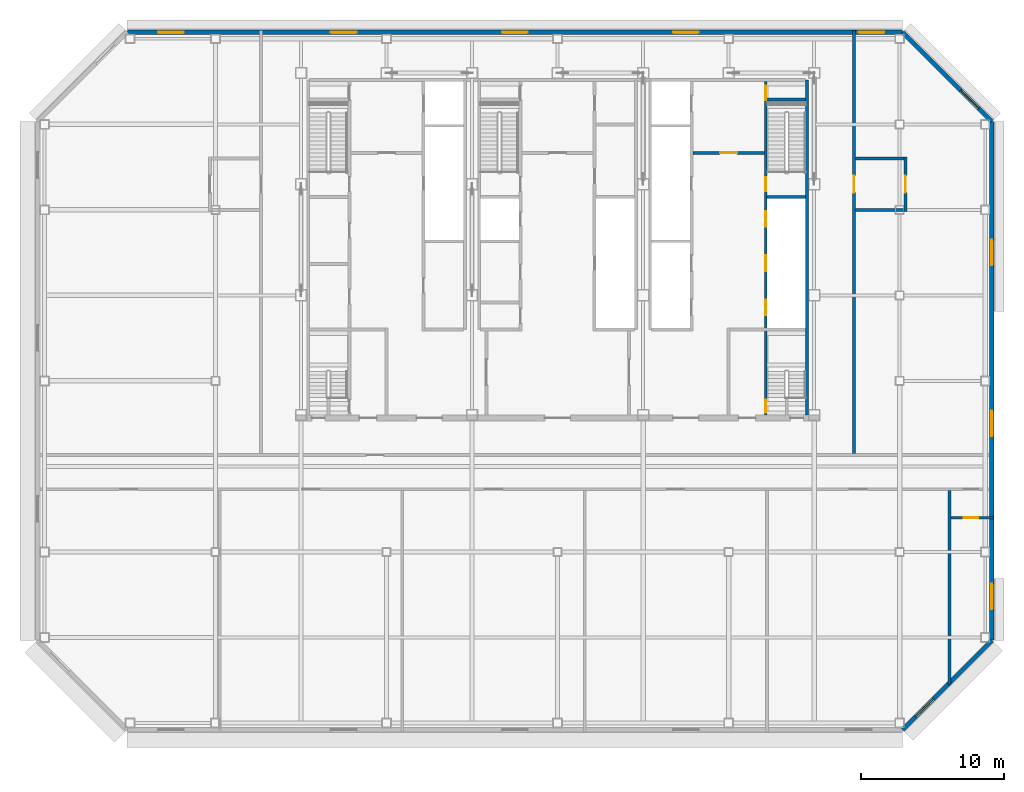
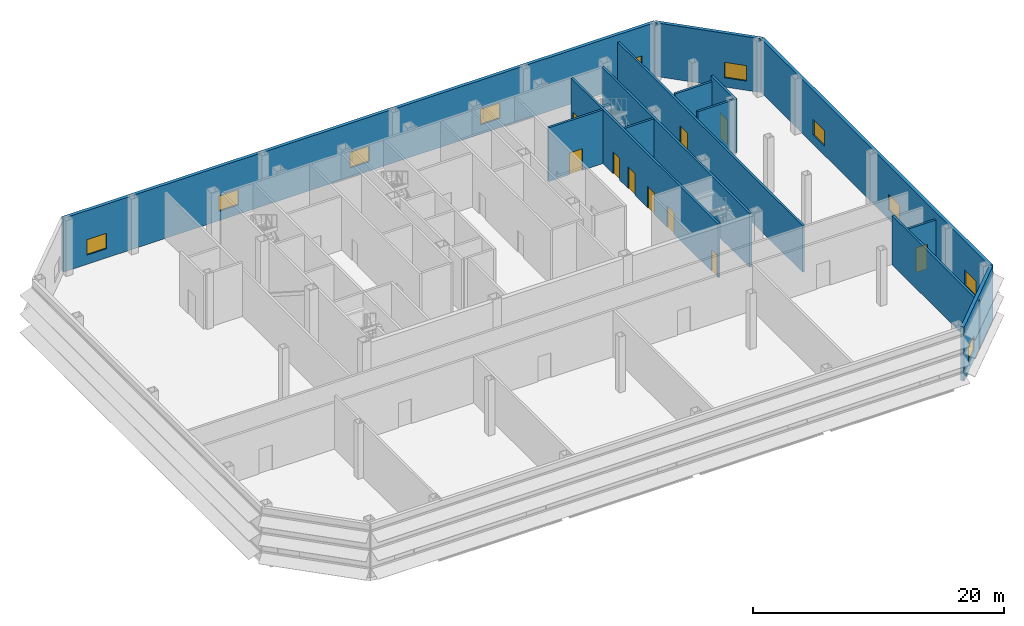
# One storey, part 6 of 11: 15 walls, 10 doors, 10 windows, 20 openings.
"""IFC4 building model written with IfcOpenShell, lengths in metres."""

from ifc_helpers import new_model, si_unit, direction, frame, frame_2d, origin, place, context, subcontext, project, spatial, rectangle, extrude, material, layer, layer_set, type_object, element, fill, save


model = new_model("IFC4")

# Units and contexts
model_context = context("Model", 3, precision=1e-05, world=origin(), true_north=direction((0.0, 1.0)))
body_context = subcontext(model_context, "Body", "Model", "MODEL_VIEW")
ifc_project = project(units=[si_unit("LENGTHUNIT", "METRE"), si_unit("AREAUNIT", "SQUARE_METRE"), si_unit("VOLUMEUNIT", "CUBIC_METRE"), si_unit("PLANEANGLEUNIT", "RADIAN"), si_unit("MASSUNIT", "GRAM", prefix="KILO")], contexts=[model_context])

# Site, building, storey
site_placement = place(None, origin())
site = spatial("IfcSite", under=ifc_project, at=site_placement, CompositionType="ELEMENT")
building_placement = place(site_placement, origin())
building = spatial("IfcBuilding", under=site, at=building_placement, Name="Sorahane Residences", CompositionType="ELEMENT")
storey_placement = place(building_placement, frame((0.0, 0.0, 234.199951171875)))
storey = spatial("IfcBuildingStorey", under=building, at=storey_placement, Name="L55", CompositionType="ELEMENT", Elevation=234.199951171875)

# Wall
ifc_material_1 = material(Name="Concrete C30", Category="concrete")
ifc_layer_1 = layer(ifc_material_1, 0.199951171875)
ifc_layer_set_1 = layer_set([ifc_layer_1], Name="Core face wall 200 EI 180")
wall_type_1 = type_object("IfcWallType", Name="Core face wall 200 EI 180", PredefinedType="SOLIDWALL", material=ifc_layer_set_1)
wall_1_placement = place(storey_placement, frame((41.5, 21.60009765625, 0.0), z_axis=(0.0, 0.0, 1.0), x_axis=(0.0, 1.0, 0.0)))
element("IfcWall", 1, at=wall_1_placement, inside=storey, type_object=wall_type_1, Name="L55 core face wall", PredefinedType="SOLIDWALL", context=body_context, shape_type="SweptSolid", body=[
    extrude(rectangle(XDim=23.5, YDim=0.199951171875, at=frame_2d((11.75, 0.0))), origin(), (0.0, 0.0, 1.0), 5.219970703125),
])

# Wall, opening, window
ifc_material_2 = material(Name="Graphite insulated metal-clad wall")
ifc_layer_2 = layer(ifc_material_2, 0.300048828125)
ifc_layer_set_2 = layer_set([ifc_layer_2], Name="External wall insulated metal-clad 300")
wall_type_2 = type_object("IfcWallType", Name="External wall insulated metal-clad 300", PredefinedType="SOLIDWALL", material=ifc_layer_set_2)
wall_2_placement = place(storey_placement, frame((48.194580078125, -0.469970703125, 0.0), z_axis=(0.0, 0.0, 1.0), x_axis=(0.707106781187, 0.707106781187, 0.0)))
wall_2 = element("IfcWall", 2, at=wall_2_placement, inside=storey, type_object=wall_type_2, Name="External plant wall L55 SE1", PredefinedType="SOLIDWALL", context=body_context, shape_type="SweptSolid", body=[
    extrude(rectangle(XDim=8.874755859375, YDim=0.300048828125, at=frame_2d((4.4375, 0.0))), origin(), (0.0, 0.0, 1.0), 5.219970703125),
])
opening_1_placement = place(wall_2_placement, frame((1.291748046875, 0.0, 0.89990234375)))
opening_1 = element("IfcOpeningElement", 3, at=opening_1_placement, cuts=wall_2, Name="Opening W-R1", PredefinedType="OPENING", context=body_context, shape_type="SweptSolid", body=[
    extrude(rectangle(XDim=1.800048828125, YDim=1.5, at=frame_2d((0.89990234375, 0.75))), frame((0.0, 0.159912109375, 0.0), z_axis=(0.0, -1.0, 0.0), x_axis=(1.0, 0.0, 0.0)), (0.0, 0.0, 1.0), 0.320068359375),
])
ifc_material_3 = material(Name="Dark aluminium and glass", Category="aluminium")
window_type = type_object("IfcWindowType", Name="Openable Class B fire window dark aluminium 1800x1500", PartitioningType="SINGLE_PANEL", PredefinedType="WINDOW", material=ifc_material_3)
window_1_placement = place(opening_1_placement, origin())
window_1 = element("IfcWindow", 4, at=window_1_placement, inside=storey, type_object=window_type, Name="Openable fire window L55 SE1.1", OverallHeight=1.5, OverallWidth=1.800048828125, PartitioningType="SINGLE_PANEL", PredefinedType="WINDOW", context=body_context, shape_type="SweptSolid", body=[
    extrude(rectangle(XDim=1.800048828125, YDim=1.5, at=frame_2d((0.89990234375, 0.75))), frame((0.0, 0.030029296875, 0.0), z_axis=(0.0, -1.0, 0.0), x_axis=(1.0, 0.0, 0.0)), (0.0, 0.0, 1.0), 0.06005859375),
])
fill(opening_1, window_1)

# Wall, openings, windows
wall_3_placement = place(storey_placement, frame((54.469970703125, 5.805419921875, 0.0), z_axis=(0.0, 0.0, 1.0), x_axis=(0.0, 1.0, 0.0)))
wall_3 = element("IfcWall", 5, at=wall_3_placement, inside=storey, type_object=wall_type_2, Name="External plant wall L55 E1", PredefinedType="SOLIDWALL", context=body_context, shape_type="SweptSolid", body=[
    extrude(rectangle(XDim=36.38916015625, YDim=0.300048828125, at=frame_2d((18.194580078125, 0.0))), origin(), (0.0, 0.0, 1.0), 5.219970703125),
])
opening_2_placement = place(wall_3_placement, frame((2.17041015625, 0.0, 0.89990234375)))
opening_2 = element("IfcOpeningElement", 6, at=opening_2_placement, cuts=wall_3, Name="Opening W-R1", PredefinedType="OPENING", context=body_context, shape_type="SweptSolid", body=[
    extrude(rectangle(XDim=1.800048828125, YDim=1.5, at=frame_2d((0.89990234375, 0.75))), frame((0.0, 0.159912109375, 0.0), z_axis=(0.0, -1.0, 0.0), x_axis=(1.0, 0.0, 0.0)), (0.0, 0.0, 1.0), 0.320068359375),
])
opening_3_placement = place(wall_3_placement, frame((14.294677734375, 0.0, 0.89990234375)))
opening_3 = element("IfcOpeningElement", 7, at=opening_3_placement, cuts=wall_3, Name="Opening W-R1", PredefinedType="OPENING", context=body_context, shape_type="SweptSolid", body=[
    extrude(rectangle(XDim=1.800048828125, YDim=1.5, at=frame_2d((0.89990234375, 0.75))), frame((0.0, 0.159912109375, 0.0), z_axis=(0.0, -1.0, 0.0), x_axis=(1.0, 0.0, 0.0)), (0.0, 0.0, 1.0), 0.320068359375),
])
opening_4_placement = place(wall_3_placement, frame((26.294677734375, 0.0, 0.89990234375)))
opening_4 = element("IfcOpeningElement", 8, at=opening_4_placement, cuts=wall_3, Name="Opening W-R1", PredefinedType="OPENING", context=body_context, shape_type="SweptSolid", body=[
    extrude(rectangle(XDim=1.800048828125, YDim=1.5, at=frame_2d((0.89990234375, 0.75))), frame((0.0, 0.159912109375, 0.0), z_axis=(0.0, -1.0, 0.0), x_axis=(1.0, 0.0, 0.0)), (0.0, 0.0, 1.0), 0.320068359375),
])
window_2_placement = place(opening_2_placement, origin())
window_2 = element("IfcWindow", 9, at=window_2_placement, inside=storey, type_object=window_type, Name="Openable fire window L55 E1.1", OverallHeight=1.5, OverallWidth=1.800048828125, PartitioningType="SINGLE_PANEL", PredefinedType="WINDOW", context=body_context, shape_type="SweptSolid", body=[
    extrude(rectangle(XDim=1.800048828125, YDim=1.5, at=frame_2d((0.89990234375, 0.75))), frame((0.0, 0.030029296875, 0.0), z_axis=(0.0, -1.0, 0.0), x_axis=(1.0, 0.0, 0.0)), (0.0, 0.0, 1.0), 0.06005859375),
])
fill(opening_2, window_2)
window_3_placement = place(opening_3_placement, origin())
window_3 = element("IfcWindow", 10, at=window_3_placement, inside=storey, type_object=window_type, Name="Openable fire window L55 E1.3", OverallHeight=1.5, OverallWidth=1.800048828125, PartitioningType="SINGLE_PANEL", PredefinedType="WINDOW", context=body_context, shape_type="SweptSolid", body=[
    extrude(rectangle(XDim=1.800048828125, YDim=1.5, at=frame_2d((0.89990234375, 0.75))), frame((0.0, 0.030029296875, 0.0), z_axis=(0.0, -1.0, 0.0), x_axis=(1.0, 0.0, 0.0)), (0.0, 0.0, 1.0), 0.06005859375),
])
fill(opening_3, window_3)
window_4_placement = place(opening_4_placement, origin())
window_4 = element("IfcWindow", 11, at=window_4_placement, inside=storey, type_object=window_type, Name="Openable fire window L55 E1.5", OverallHeight=1.5, OverallWidth=1.800048828125, PartitioningType="SINGLE_PANEL", PredefinedType="WINDOW", context=body_context, shape_type="SweptSolid", body=[
    extrude(rectangle(XDim=1.800048828125, YDim=1.5, at=frame_2d((0.89990234375, 0.75))), frame((0.0, 0.030029296875, 0.0), z_axis=(0.0, -1.0, 0.0), x_axis=(1.0, 0.0, 0.0)), (0.0, 0.0, 1.0), 0.06005859375),
])
fill(opening_4, window_4)

# Wall, opening, window
wall_4_placement = place(storey_placement, frame((54.469970703125, 42.194580078125, 0.0), z_axis=(0.0, 0.0, 1.0), x_axis=(-0.707106781187, 0.707106781187, 0.0)))
wall_4 = element("IfcWall", 12, at=wall_4_placement, inside=storey, type_object=wall_type_2, Name="External plant wall L55 NE1", PredefinedType="SOLIDWALL", context=body_context, shape_type="SweptSolid", body=[
    extrude(rectangle(XDim=8.874755859375, YDim=0.300048828125, at=frame_2d((4.4375, 0.0))), origin(), (0.0, 0.0, 1.0), 5.219970703125),
])
opening_5_placement = place(wall_4_placement, frame((1.291748046875, 0.0, 0.89990234375)))
opening_5 = element("IfcOpeningElement", 13, at=opening_5_placement, cuts=wall_4, Name="Opening W-R1", PredefinedType="OPENING", context=body_context, shape_type="SweptSolid", body=[
    extrude(rectangle(XDim=1.800048828125, YDim=1.5, at=frame_2d((0.89990234375, 0.75))), frame((0.0, 0.159912109375, 0.0), z_axis=(0.0, -1.0, 0.0), x_axis=(1.0, 0.0, 0.0)), (0.0, 0.0, 1.0), 0.320068359375),
])
window_5_placement = place(opening_5_placement, origin())
window_5 = element("IfcWindow", 14, at=window_5_placement, inside=storey, type_object=window_type, Name="Openable fire window L55 NE1.1", OverallHeight=1.5, OverallWidth=1.800048828125, PartitioningType="SINGLE_PANEL", PredefinedType="WINDOW", context=body_context, shape_type="SweptSolid", body=[
    extrude(rectangle(XDim=1.800048828125, YDim=1.5, at=frame_2d((0.89990234375, 0.75))), frame((0.0, 0.030029296875, 0.0), z_axis=(0.0, -1.0, 0.0), x_axis=(1.0, 0.0, 0.0)), (0.0, 0.0, 1.0), 0.06005859375),
])
fill(opening_5, window_5)

# Wall, openings, windows
wall_5_placement = place(storey_placement, frame((48.194580078125, 48.469970703125, 0.0), z_axis=(0.0, 0.0, 1.0), x_axis=(-1.0, 0.0, 0.0)))
wall_5 = element("IfcWall", 15, at=wall_5_placement, inside=storey, type_object=wall_type_2, Name="External plant wall L55 N1", PredefinedType="SOLIDWALL", context=body_context, shape_type="SweptSolid", body=[
    extrude(rectangle(XDim=54.38916015625, YDim=0.300048828125, at=frame_2d((27.194580078125, 0.0))), origin(), (0.0, 0.0, 1.0), 5.219970703125),
])
opening_6_placement = place(wall_5_placement, frame((1.2705078125, 0.0, 0.89990234375)))
opening_6 = element("IfcOpeningElement", 16, at=opening_6_placement, cuts=wall_5, Name="Opening W-R1", PredefinedType="OPENING", context=body_context, shape_type="SweptSolid", body=[
    extrude(rectangle(XDim=1.800048828125, YDim=1.5, at=frame_2d((0.89990234375, 0.75))), frame((0.0, 0.159912109375, 0.0), z_axis=(0.0, -1.0, 0.0), x_axis=(1.0, 0.0, 0.0)), (0.0, 0.0, 1.0), 0.320068359375),
])
opening_7_placement = place(wall_5_placement, frame((14.294677734375, 0.0, 0.89990234375)))
opening_7 = element("IfcOpeningElement", 17, at=opening_7_placement, cuts=wall_5, Name="Opening W-R1", PredefinedType="OPENING", context=body_context, shape_type="SweptSolid", body=[
    extrude(rectangle(XDim=1.800048828125, YDim=1.5, at=frame_2d((0.89990234375, 0.75))), frame((0.0, 0.159912109375, 0.0), z_axis=(0.0, -1.0, 0.0), x_axis=(1.0, 0.0, 0.0)), (0.0, 0.0, 1.0), 0.320068359375),
])
opening_8_placement = place(wall_5_placement, frame((26.294677734375, 0.0, 0.89990234375)))
opening_8 = element("IfcOpeningElement", 18, at=opening_8_placement, cuts=wall_5, Name="Opening W-R1", PredefinedType="OPENING", context=body_context, shape_type="SweptSolid", body=[
    extrude(rectangle(XDim=1.800048828125, YDim=1.5, at=frame_2d((0.89990234375, 0.75))), frame((0.0, 0.159912109375, 0.0), z_axis=(0.0, -1.0, 0.0), x_axis=(1.0, 0.0, 0.0)), (0.0, 0.0, 1.0), 0.320068359375),
])
opening_9_placement = place(wall_5_placement, frame((38.294677734375, 0.0, 0.89990234375)))
opening_9 = element("IfcOpeningElement", 19, at=opening_9_placement, cuts=wall_5, Name="Opening W-R1", PredefinedType="OPENING", context=body_context, shape_type="SweptSolid", body=[
    extrude(rectangle(XDim=1.800048828125, YDim=1.5, at=frame_2d((0.89990234375, 0.75))), frame((0.0, 0.159912109375, 0.0), z_axis=(0.0, -1.0, 0.0), x_axis=(1.0, 0.0, 0.0)), (0.0, 0.0, 1.0), 0.320068359375),
])
opening_10_placement = place(wall_5_placement, frame((50.4189453125, 0.0, 0.89990234375)))
opening_10 = element("IfcOpeningElement", 20, at=opening_10_placement, cuts=wall_5, Name="Opening W-R1", PredefinedType="OPENING", context=body_context, shape_type="SweptSolid", body=[
    extrude(rectangle(XDim=1.800048828125, YDim=1.5, at=frame_2d((0.89990234375, 0.75))), frame((0.0, 0.159912109375, 0.0), z_axis=(0.0, -1.0, 0.0), x_axis=(1.0, 0.0, 0.0)), (0.0, 0.0, 1.0), 0.320068359375),
])
window_6_placement = place(opening_6_placement, origin())
window_6 = element("IfcWindow", 21, at=window_6_placement, inside=storey, type_object=window_type, Name="Openable fire window L55 N1.1", OverallHeight=1.5, OverallWidth=1.800048828125, PartitioningType="SINGLE_PANEL", PredefinedType="WINDOW", context=body_context, shape_type="SweptSolid", body=[
    extrude(rectangle(XDim=1.800048828125, YDim=1.5, at=frame_2d((0.89990234375, 0.75))), frame((0.0, 0.030029296875, 0.0), z_axis=(0.0, -1.0, 0.0), x_axis=(1.0, 0.0, 0.0)), (0.0, 0.0, 1.0), 0.06005859375),
])
fill(opening_6, window_6)
window_7_placement = place(opening_7_placement, origin())
window_7 = element("IfcWindow", 22, at=window_7_placement, inside=storey, type_object=window_type, Name="Openable fire window L55 N1.3", OverallHeight=1.5, OverallWidth=1.800048828125, PartitioningType="SINGLE_PANEL", PredefinedType="WINDOW", context=body_context, shape_type="SweptSolid", body=[
    extrude(rectangle(XDim=1.800048828125, YDim=1.5, at=frame_2d((0.89990234375, 0.75))), frame((0.0, 0.030029296875, 0.0), z_axis=(0.0, -1.0, 0.0), x_axis=(1.0, 0.0, 0.0)), (0.0, 0.0, 1.0), 0.06005859375),
])
fill(opening_7, window_7)
window_8_placement = place(opening_8_placement, origin())
window_8 = element("IfcWindow", 23, at=window_8_placement, inside=storey, type_object=window_type, Name="Openable fire window L55 N1.5", OverallHeight=1.5, OverallWidth=1.800048828125, PartitioningType="SINGLE_PANEL", PredefinedType="WINDOW", context=body_context, shape_type="SweptSolid", body=[
    extrude(rectangle(XDim=1.800048828125, YDim=1.5, at=frame_2d((0.89990234375, 0.75))), frame((0.0, 0.030029296875, 0.0), z_axis=(0.0, -1.0, 0.0), x_axis=(1.0, 0.0, 0.0)), (0.0, 0.0, 1.0), 0.06005859375),
])
fill(opening_8, window_8)
window_9_placement = place(opening_9_placement, origin())
window_9 = element("IfcWindow", 24, at=window_9_placement, inside=storey, type_object=window_type, Name="Openable fire window L55 N1.7", OverallHeight=1.5, OverallWidth=1.800048828125, PartitioningType="SINGLE_PANEL", PredefinedType="WINDOW", context=body_context, shape_type="SweptSolid", body=[
    extrude(rectangle(XDim=1.800048828125, YDim=1.5, at=frame_2d((0.89990234375, 0.75))), frame((0.0, 0.030029296875, 0.0), z_axis=(0.0, -1.0, 0.0), x_axis=(1.0, 0.0, 0.0)), (0.0, 0.0, 1.0), 0.06005859375),
])
fill(opening_9, window_9)
window_10_placement = place(opening_10_placement, origin())
window_10 = element("IfcWindow", 25, at=window_10_placement, inside=storey, type_object=window_type, Name="Openable fire window L55 N1.9", OverallHeight=1.5, OverallWidth=1.800048828125, PartitioningType="SINGLE_PANEL", PredefinedType="WINDOW", context=body_context, shape_type="SweptSolid", body=[
    extrude(rectangle(XDim=1.800048828125, YDim=1.5, at=frame_2d((0.89990234375, 0.75))), frame((0.0, 0.030029296875, 0.0), z_axis=(0.0, -1.0, 0.0), x_axis=(1.0, 0.0, 0.0)), (0.0, 0.0, 1.0), 0.06005859375),
])
fill(opening_10, window_10)

# Wall, opening, door
ifc_material_4 = material(Name="Concrete blockwork C20 wall", Category="masonry")
ifc_layer_3 = layer(ifc_material_4, 0.199951171875)
ifc_layer_set_3 = layer_set([ifc_layer_3], Name="Fire wall 200 EI 120")
wall_type_3 = type_object("IfcWallType", Name="Fire wall 200 EI 120", PredefinedType="SOLIDWALL", material=ifc_layer_set_3)
wall_6_placement = place(storey_placement, frame((44.800048828125, 18.89990234375, 0.0), z_axis=(0.0, 0.0, 1.0), x_axis=(0.0, 1.0, 0.0)))
wall_6 = element("IfcWall", 26, at=wall_6_placement, inside=storey, type_object=wall_type_3, Name="L55 fire wall", PredefinedType="SOLIDWALL", context=body_context, shape_type="SweptSolid", body=[
    extrude(rectangle(XDim=29.7001953125, YDim=0.199951171875, at=frame_2d((14.85009765625, 0.0))), origin(), (0.0, 0.0, 1.0), 4.52001953125),
])
opening_11_placement = place(wall_6_placement, frame((18.300048828125, 0.0, 0.0)))
opening_11 = element("IfcOpeningElement", 27, at=opening_11_placement, cuts=wall_6, Name="Opening L55-10", PredefinedType="OPENING", context=body_context, shape_type="SweptSolid", body=[
    extrude(rectangle(XDim=1.199951171875, YDim=2.39990234375, at=frame_2d((0.60009765625, 1.199951171875))), frame((0.0, 0.10986328125, 0.0), z_axis=(0.0, -1.0, 0.0), x_axis=(1.0, 0.0, 0.0)), (0.0, 0.0, 1.0), 0.219970703125),
])
ifc_material_5 = material(Name="Steel", Category="steel")
door_type_1 = type_object("IfcDoorType", Name="Lobby door 1200x2400 FD60", OperationType="NOTDEFINED", PredefinedType="DOOR", material=ifc_material_5)
door_1_placement = place(opening_11_placement, origin())
door_1 = element("IfcDoor", 28, at=door_1_placement, inside=storey, type_object=door_type_1, Name="Lobby door L55-10", OperationType="SINGLE_SWING_RIGHT", OverallHeight=2.39990234375, OverallWidth=1.199951171875, PredefinedType="DOOR", context=body_context, shape_type="SweptSolid", body=[
    extrude(rectangle(XDim=1.199951171875, YDim=2.39990234375, at=frame_2d((0.60009765625, 1.199951171875))), frame((0.0, 0.02490234375, 0.0), z_axis=(0.0, -1.0, 0.0), x_axis=(1.0, 0.0, 0.0)), (0.0, 0.0, 1.0), 0.050048828125),
])
fill(opening_11, door_1)

wall_7_placement = place(storey_placement, frame((48.39990234375, 35.89990234375, 0.0), z_axis=(0.0, 0.0, 1.0), x_axis=(0.0, 1.0, 0.0)))
wall_7 = element("IfcWall", 29, at=wall_7_placement, inside=storey, type_object=wall_type_3, Name="L55 fire wall", PredefinedType="SOLIDWALL", context=body_context, shape_type="SweptSolid", body=[
    extrude(rectangle(XDim=3.800048828125, YDim=0.199951171875, at=frame_2d((1.89990234375, 0.0))), origin(), (0.0, 0.0, 1.0), 5.219970703125),
])
opening_12_placement = place(wall_7_placement, frame((1.300048828125, 0.0, 0.0)))
opening_12 = element("IfcOpeningElement", 30, at=opening_12_placement, cuts=wall_7, Name="Opening L55-09", PredefinedType="OPENING", context=body_context, shape_type="SweptSolid", body=[
    extrude(rectangle(XDim=1.199951171875, YDim=2.39990234375, at=frame_2d((0.60009765625, 1.199951171875))), frame((0.0, 0.10986328125, 0.0), z_axis=(0.0, -1.0, 0.0), x_axis=(1.0, 0.0, 0.0)), (0.0, 0.0, 1.0), 0.219970703125),
])
door_2_placement = place(opening_12_placement, origin())
door_2 = element("IfcDoor", 31, at=door_2_placement, inside=storey, type_object=door_type_1, Name="Lobby door L55-09", OperationType="SINGLE_SWING_LEFT", OverallHeight=2.39990234375, OverallWidth=1.199951171875, PredefinedType="DOOR", context=body_context, shape_type="SweptSolid", body=[
    extrude(rectangle(XDim=1.199951171875, YDim=2.39990234375, at=frame_2d((0.60009765625, 1.199951171875))), frame((0.0, 0.02490234375, 0.0), z_axis=(0.0, -1.0, 0.0), x_axis=(1.0, 0.0, 0.0)), (0.0, 0.0, 1.0), 0.050048828125),
])
fill(opening_12, door_2)

# Wall
wall_8_placement = place(storey_placement, frame((51.5, 2.65087890625, 0.0), z_axis=(0.0, 0.0, 1.0), x_axis=(0.0, 1.0, 0.0)))
element("IfcWall", 32, at=wall_8_placement, inside=storey, type_object=wall_type_3, Name="L55 fire wall", PredefinedType="SOLIDWALL", context=body_context, shape_type="SweptSolid", body=[
    extrude(rectangle(XDim=13.649169921875, YDim=0.199951171875, at=frame_2d((6.82470703125, 0.0))), origin(), (0.0, 0.0, 1.0), 4.77001953125),
])

# Wall, opening, door
wall_9_placement = place(storey_placement, frame((51.60009765625, 14.39990234375, 0.0), z_axis=(0.0, 0.0, 1.0), x_axis=(1.0, 0.0, 0.0)))
wall_9 = element("IfcWall", 33, at=wall_9_placement, inside=storey, type_object=wall_type_3, Name="L55 fire wall", PredefinedType="SOLIDWALL", context=body_context, shape_type="SweptSolid", body=[
    extrude(rectangle(XDim=3.0, YDim=0.199951171875, at=frame_2d((1.5, 0.0))), origin(), (0.0, 0.0, 1.0), 4.52001953125),
])
opening_13_placement = place(wall_9_placement, frame((0.89990234375, 0.0, 0.0)))
opening_13 = element("IfcOpeningElement", 34, at=opening_13_placement, cuts=wall_9, Name="Opening L55-07", PredefinedType="OPENING", context=body_context, shape_type="SweptSolid", body=[
    extrude(rectangle(XDim=1.0, YDim=2.39990234375, at=frame_2d((0.5, 1.199951171875))), frame((0.0, 0.10986328125, 0.0), z_axis=(0.0, -1.0, 0.0), x_axis=(1.0, 0.0, 0.0)), (0.0, 0.0, 1.0), 0.219970703125),
])
ifc_material_6 = material(Name="Steel", Category="steel")
door_type_2 = type_object("IfcDoorType", Name="Fire door 1000x2400 FD60", OperationType="NOTDEFINED", PredefinedType="DOOR", material=ifc_material_6)
door_3_placement = place(opening_13_placement, frame((1.0, 0.0, 0.0), z_axis=(0.0, 0.0, 1.0), x_axis=(-1.0, 0.0, 0.0)))
door_3 = element("IfcDoor", 35, at=door_3_placement, inside=storey, type_object=door_type_2, Name="Fire door L55-07", OperationType="SINGLE_SWING_RIGHT", OverallHeight=2.39990234375, OverallWidth=1.0, PredefinedType="DOOR", context=body_context, shape_type="SweptSolid", body=[
    extrude(rectangle(XDim=1.0, YDim=2.39990234375, at=frame_2d((0.5, 1.199951171875))), frame((0.0, 0.02490234375, 0.0), z_axis=(0.0, -1.0, 0.0), x_axis=(1.0, 0.0, 0.0)), (0.0, 0.0, 1.0), 0.050048828125),
])
fill(opening_13, door_3)

# Walls
wall_10_placement = place(storey_placement, frame((44.89990234375, 36.0, 0.0), z_axis=(0.0, 0.0, 1.0), x_axis=(1.0, 0.0, 0.0)))
element("IfcWall", 36, at=wall_10_placement, inside=storey, type_object=wall_type_3, Name="L55 fire wall", PredefinedType="SOLIDWALL", context=body_context, shape_type="SweptSolid", body=[
    extrude(rectangle(XDim=3.400146484375, YDim=0.199951171875, at=frame_2d((1.7001953125, 0.0))), origin(), (0.0, 0.0, 1.0), 5.219970703125),
])
wall_11_placement = place(storey_placement, frame((44.89990234375, 39.60009765625, 0.0), z_axis=(0.0, 0.0, 1.0), x_axis=(1.0, 0.0, 0.0)))
element("IfcWall", 37, at=wall_11_placement, inside=storey, type_object=wall_type_3, Name="L55 fire wall", PredefinedType="SOLIDWALL", context=body_context, shape_type="SweptSolid", body=[
    extrude(rectangle(XDim=3.400146484375, YDim=0.199951171875, at=frame_2d((1.7001953125, 0.0))), origin(), (0.0, 0.0, 1.0), 4.77001953125),
])

# Wall, opening, door
ifc_material_7 = material(Name="Concrete C30", Category="concrete")
ifc_layer_4 = layer(ifc_material_7, 0.199951171875)
ifc_layer_set_4 = layer_set([ifc_layer_4], Name="Front room wall 200 EI 120")
wall_type_4 = type_object("IfcWallType", Name="Front room wall 200 EI 120", PredefinedType="PARTITIONING", material=ifc_layer_set_4)
wall_12_placement = place(storey_placement, frame((33.5, 40.0, 0.0), z_axis=(0.0, 0.0, 1.0), x_axis=(1.0, 0.0, 0.0)))
wall_12 = element("IfcWall", 38, at=wall_12_placement, inside=storey, type_object=wall_type_4, Name="L55 front room wall", PredefinedType="PARTITIONING", context=body_context, shape_type="SweptSolid", body=[
    extrude(rectangle(XDim=5.0, YDim=0.199951171875, at=frame_2d((2.5, 0.0))), origin(), (0.0, 0.0, 1.0), 5.219970703125),
])
opening_14_placement = place(wall_12_placement, frame((1.89990234375, 0.0, 0.0)))
opening_14 = element("IfcOpeningElement", 39, at=opening_14_placement, cuts=wall_12, Name="Opening L55-C10", PredefinedType="OPENING", context=body_context, shape_type="SweptSolid", body=[
    extrude(rectangle(XDim=1.199951171875, YDim=2.10009765625, at=frame_2d((0.60009765625, 1.050048828125))), frame((0.0, 0.10986328125, 0.0), z_axis=(0.0, -1.0, 0.0), x_axis=(1.0, 0.0, 0.0)), (0.0, 0.0, 1.0), 0.219970703125),
])
ifc_material_8 = material(Name="Steel", Category="steel")
door_type_3 = type_object("IfcDoorType", Name="Front room door 1200x2100 FD120", OperationType="NOTDEFINED", PredefinedType="DOOR", material=ifc_material_8)
door_4_placement = place(opening_14_placement, frame((1.199951171875, 0.0, 0.0), z_axis=(0.0, 0.0, 1.0), x_axis=(-1.0, 0.0, 0.0)))
door_4 = element("IfcDoor", 40, at=door_4_placement, inside=storey, type_object=door_type_3, Name="Front room door Firefighting lobby FF2 front room L55", OperationType="DOUBLE_DOOR_SINGLE_SWING", OverallHeight=2.10009765625, OverallWidth=1.199951171875, PredefinedType="DOOR", context=body_context, shape_type="SweptSolid", body=[
    extrude(rectangle(XDim=1.199951171875, YDim=2.10009765625, at=frame_2d((0.60009765625, 1.050048828125))), frame((0.0, 0.02490234375, 0.0), z_axis=(0.0, -1.0, 0.0), x_axis=(1.0, 0.0, 0.0)), (0.0, 0.0, 1.0), 0.050048828125),
])
fill(opening_14, door_4)

# Wall, openings, doors
ifc_material_9 = material(Name="Concrete C30", Category="concrete")
ifc_layer_5 = layer(ifc_material_9, 0.199951171875)
ifc_layer_set_5 = layer_set([ifc_layer_5], Name="Stair enclosure wall 200 EI 120")
wall_type_5 = type_object("IfcWallType", Name="Stair enclosure wall 200 EI 120", PredefinedType="SOLIDWALL", material=ifc_layer_set_5)
wall_13_placement = place(storey_placement, frame((38.60009765625, 21.60009765625, 0.0), z_axis=(0.0, 0.0, 1.0), x_axis=(0.0, 1.0, 0.0)))
wall_13 = element("IfcWall", 41, at=wall_13_placement, inside=storey, type_object=wall_type_5, Name="L55 stair enclosure wall", PredefinedType="SOLIDWALL", context=body_context, shape_type="SweptSolid", body=[
    extrude(rectangle(XDim=23.39990234375, YDim=0.199951171875, at=frame_2d((11.699951171875, 0.0))), origin(), (0.0, 0.0, 1.0), 5.219970703125),
])
opening_15_placement = place(wall_13_placement, frame((7.0, 0.0, 0.0)))
opening_15 = element("IfcOpeningElement", 42, at=opening_15_placement, cuts=wall_13, Name="Opening L55-C11", PredefinedType="OPENING", context=body_context, shape_type="SweptSolid", body=[
    extrude(rectangle(XDim=1.10009765625, YDim=2.10009765625, at=frame_2d((0.550048828125, 1.050048828125))), frame((0.0, 0.10986328125, 0.0), z_axis=(0.0, -1.0, 0.0), x_axis=(1.0, 0.0, 0.0)), (0.0, 0.0, 1.0), 0.219970703125),
])
opening_16_placement = place(wall_13_placement, frame((10.10009765625, 0.0, 0.0)))
opening_16 = element("IfcOpeningElement", 43, at=opening_16_placement, cuts=wall_13, Name="Opening L55-C12", PredefinedType="OPENING", context=body_context, shape_type="SweptSolid", body=[
    extrude(rectangle(XDim=1.10009765625, YDim=2.10009765625, at=frame_2d((0.550048828125, 1.050048828125))), frame((0.0, 0.10986328125, 0.0), z_axis=(0.0, -1.0, 0.0), x_axis=(1.0, 0.0, 0.0)), (0.0, 0.0, 1.0), 0.219970703125),
])
opening_17_placement = place(wall_13_placement, frame((13.199951171875, 0.0, 0.0)))
opening_17 = element("IfcOpeningElement", 44, at=opening_17_placement, cuts=wall_13, Name="Opening L55-C13", PredefinedType="OPENING", context=body_context, shape_type="SweptSolid", body=[
    extrude(rectangle(XDim=1.10009765625, YDim=2.10009765625, at=frame_2d((0.550048828125, 1.050048828125))), frame((0.0, 0.10986328125, 0.0), z_axis=(0.0, -1.0, 0.0), x_axis=(1.0, 0.0, 0.0)), (0.0, 0.0, 1.0), 0.219970703125),
])
opening_18_placement = place(wall_13_placement, frame((22.10009765625, 0.0, 0.0)))
opening_18 = element("IfcOpeningElement", 45, at=opening_18_placement, cuts=wall_13, Name="Opening L55-C25", PredefinedType="OPENING", context=body_context, shape_type="SweptSolid", body=[
    extrude(rectangle(XDim=1.0, YDim=2.10009765625, at=frame_2d((0.5, 1.050048828125))), frame((0.0, 0.10986328125, 0.0), z_axis=(0.0, -1.0, 0.0), x_axis=(1.0, 0.0, 0.0)), (0.0, 0.0, 1.0), 0.219970703125),
])
opening_19_placement = place(wall_13_placement, frame((15.699951171875, 0.0, 0.0)))
opening_19 = element("IfcOpeningElement", 46, at=opening_19_placement, cuts=wall_13, Name="Opening L55-C26", PredefinedType="OPENING", context=body_context, shape_type="SweptSolid", body=[
    extrude(rectangle(XDim=1.0, YDim=2.10009765625, at=frame_2d((0.5, 1.050048828125))), frame((0.0, 0.10986328125, 0.0), z_axis=(0.0, -1.0, 0.0), x_axis=(1.0, 0.0, 0.0)), (0.0, 0.0, 1.0), 0.219970703125),
])
opening_20_placement = place(wall_13_placement, frame((0.175048828125, 0.0, 0.0)))
opening_20 = element("IfcOpeningElement", 47, at=opening_20_placement, cuts=wall_13, Name="Opening L55-C31", PredefinedType="OPENING", context=body_context, shape_type="SweptSolid", body=[
    extrude(rectangle(XDim=0.89990234375, YDim=2.10009765625, at=frame_2d((0.449951171875, 1.050048828125))), frame((0.0, 0.10986328125, 0.0), z_axis=(0.0, -1.0, 0.0), x_axis=(1.0, 0.0, 0.0)), (0.0, 0.0, 1.0), 0.219970703125),
])
ifc_material_10 = material(Name="Aluminium and stainless steel", Category="steel")
door_type_4 = type_object("IfcDoorType", Name="Lift landing door 1100x2100 E 60", OperationType="NOTDEFINED", PredefinedType="DOOR", material=ifc_material_10)
door_5_placement = place(opening_15_placement, origin())
door_5 = element("IfcDoor", 48, at=door_5_placement, inside=storey, type_object=door_type_4, Name="Lift landing door HR1 L55", OperationType="DOUBLE_DOOR_SLIDING", OverallHeight=2.10009765625, OverallWidth=1.10009765625, PredefinedType="DOOR", context=body_context, shape_type="SweptSolid", body=[
    extrude(rectangle(XDim=1.10009765625, YDim=2.10009765625, at=frame_2d((0.550048828125, 1.050048828125))), frame((0.0, 0.02490234375, 0.0), z_axis=(0.0, -1.0, 0.0), x_axis=(1.0, 0.0, 0.0)), (0.0, 0.0, 1.0), 0.050048828125),
])
fill(opening_15, door_5)
door_6_placement = place(opening_16_placement, origin())
door_6 = element("IfcDoor", 49, at=door_6_placement, inside=storey, type_object=door_type_4, Name="Lift landing door HR2 L55", OperationType="DOUBLE_DOOR_SLIDING", OverallHeight=2.10009765625, OverallWidth=1.10009765625, PredefinedType="DOOR", context=body_context, shape_type="SweptSolid", body=[
    extrude(rectangle(XDim=1.10009765625, YDim=2.10009765625, at=frame_2d((0.550048828125, 1.050048828125))), frame((0.0, 0.02490234375, 0.0), z_axis=(0.0, -1.0, 0.0), x_axis=(1.0, 0.0, 0.0)), (0.0, 0.0, 1.0), 0.050048828125),
])
fill(opening_16, door_6)
door_7_placement = place(opening_17_placement, origin())
door_7 = element("IfcDoor", 50, at=door_7_placement, inside=storey, type_object=door_type_4, Name="Lift landing door HR3 L55", OperationType="DOUBLE_DOOR_SLIDING", OverallHeight=2.10009765625, OverallWidth=1.10009765625, PredefinedType="DOOR", context=body_context, shape_type="SweptSolid", body=[
    extrude(rectangle(XDim=1.10009765625, YDim=2.10009765625, at=frame_2d((0.550048828125, 1.050048828125))), frame((0.0, 0.02490234375, 0.0), z_axis=(0.0, -1.0, 0.0), x_axis=(1.0, 0.0, 0.0)), (0.0, 0.0, 1.0), 0.050048828125),
])
fill(opening_17, door_7)
ifc_material_11 = material(Name="Steel", Category="steel")
door_type_5 = type_object("IfcDoorType", Name="Refuge stair door 1000x2100 FD120", OperationType="NOTDEFINED", PredefinedType="DOOR", material=ifc_material_11)
door_8_placement = place(opening_18_placement, frame((1.0, 0.0, 0.0), z_axis=(0.0, 0.0, 1.0), x_axis=(-1.0, 0.0, 0.0)))
door_8 = element("IfcDoor", 51, at=door_8_placement, inside=storey, type_object=door_type_5, Name="Refuge stair door S2 L55", OperationType="SINGLE_SWING_LEFT", OverallHeight=2.10009765625, OverallWidth=1.0, PredefinedType="DOOR", context=body_context, shape_type="SweptSolid", body=[
    extrude(rectangle(XDim=1.0, YDim=2.10009765625, at=frame_2d((0.5, 1.050048828125))), frame((0.0, 0.02490234375, 0.0), z_axis=(0.0, -1.0, 0.0), x_axis=(1.0, 0.0, 0.0)), (0.0, 0.0, 1.0), 0.050048828125),
])
fill(opening_18, door_8)
door_9_placement = place(opening_19_placement, frame((1.0, 0.0, 0.0), z_axis=(0.0, 0.0, 1.0), x_axis=(-1.0, 0.0, 0.0)))
door_9 = element("IfcDoor", 52, at=door_9_placement, inside=storey, type_object=door_type_5, Name="Refuge stair door S2 L55", OperationType="SINGLE_SWING_LEFT", OverallHeight=2.10009765625, OverallWidth=1.0, PredefinedType="DOOR", context=body_context, shape_type="SweptSolid", body=[
    extrude(rectangle(XDim=1.0, YDim=2.10009765625, at=frame_2d((0.5, 1.050048828125))), frame((0.0, 0.02490234375, 0.0), z_axis=(0.0, -1.0, 0.0), x_axis=(1.0, 0.0, 0.0)), (0.0, 0.0, 1.0), 0.050048828125),
])
fill(opening_19, door_9)
ifc_material_12 = material(Name="Steel", Category="steel")
door_type_6 = type_object("IfcDoorType", Name="Refuge stair door 900x2100 FD120", OperationType="NOTDEFINED", PredefinedType="DOOR", material=ifc_material_12)
door_10_placement = place(opening_20_placement, frame((0.89990234375, 0.0, 0.0), z_axis=(0.0, 0.0, 1.0), x_axis=(-1.0, 0.0, 0.0)))
door_10 = element("IfcDoor", 53, at=door_10_placement, inside=storey, type_object=door_type_6, Name="Refuge stair door S5 L55", OperationType="SINGLE_SWING_LEFT", OverallHeight=2.10009765625, OverallWidth=0.89990234375, PredefinedType="DOOR", context=body_context, shape_type="SweptSolid", body=[
    extrude(rectangle(XDim=0.89990234375, YDim=2.10009765625, at=frame_2d((0.449951171875, 1.050048828125))), frame((0.0, 0.02490234375, 0.0), z_axis=(0.0, -1.0, 0.0), x_axis=(1.0, 0.0, 0.0)), (0.0, 0.0, 1.0), 0.050048828125),
])
fill(opening_20, door_10)

# Walls
wall_14_placement = place(storey_placement, frame((38.699951171875, 36.89990234375, 0.0), z_axis=(0.0, 0.0, 1.0), x_axis=(1.0, 0.0, 0.0)))
element("IfcWall", 54, at=wall_14_placement, inside=storey, type_object=wall_type_5, Name="L55 stair enclosure wall", PredefinedType="SOLIDWALL", context=body_context, shape_type="SweptSolid", body=[
    extrude(rectangle(XDim=2.699951171875, YDim=0.199951171875, at=frame_2d((1.35009765625, 0.0))), origin(), (0.0, 0.0, 1.0), 5.219970703125),
])
wall_15_placement = place(storey_placement, frame((38.699951171875, 43.75, 0.0), z_axis=(0.0, 0.0, 1.0), x_axis=(1.0, 0.0, 0.0)))
element("IfcWall", 55, at=wall_15_placement, inside=storey, type_object=wall_type_5, Name="L55 stair enclosure wall", PredefinedType="SOLIDWALL", context=body_context, shape_type="SweptSolid", body=[
    extrude(rectangle(XDim=2.699951171875, YDim=0.199951171875, at=frame_2d((1.35009765625, 0.0))), origin(), (0.0, 0.0, 1.0), 2.5),
])

save(model, "model.ifc")
